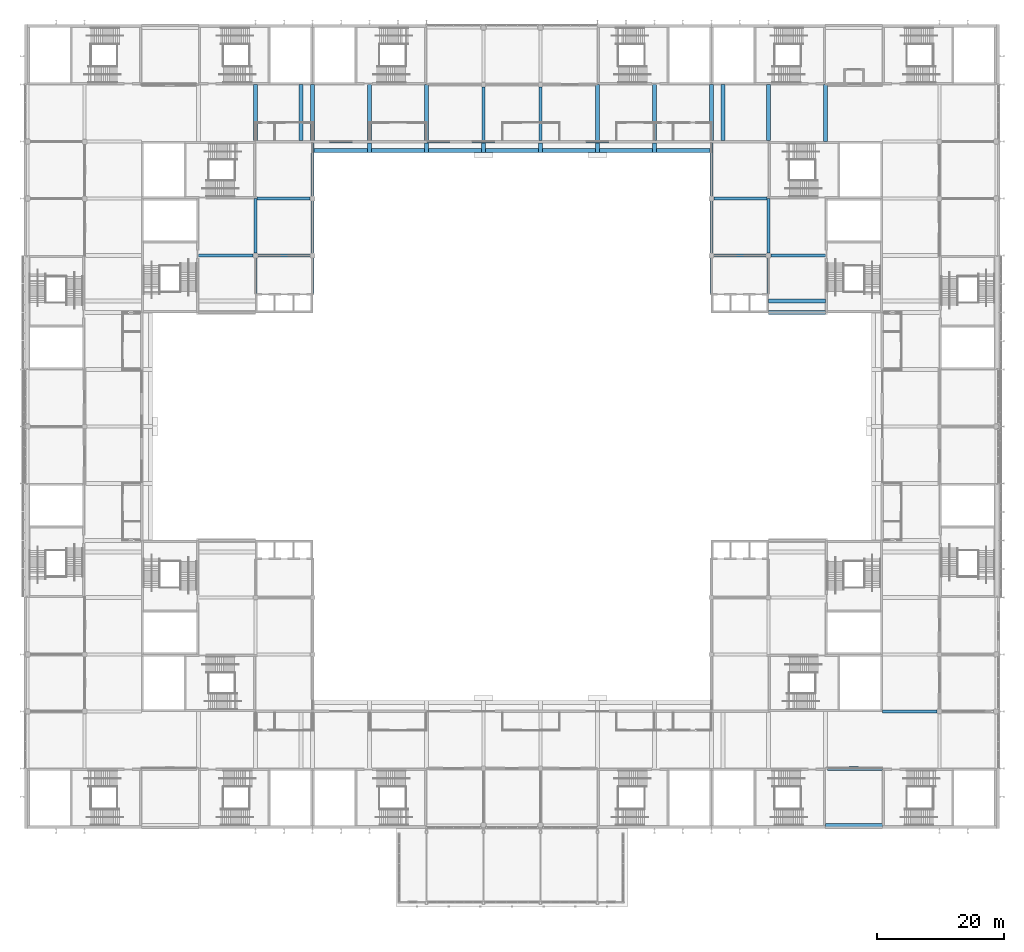
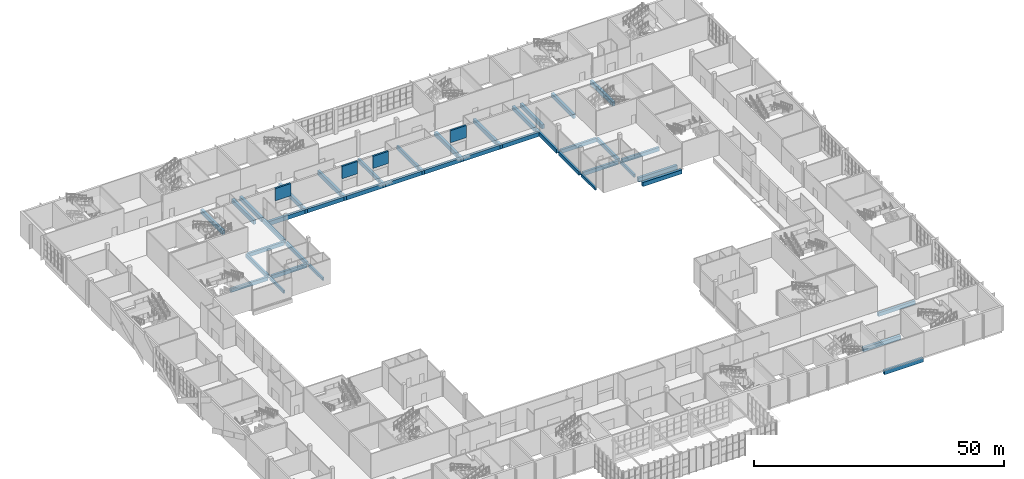
# One storey, part 18 of 89: 51 beams.
"""IFC4 building model written with IfcOpenShell, lengths in metres."""

from ifc_helpers import new_model, si_unit, direction, frame, origin, origin_2d, place, context, subcontext, project, spatial, rectangle, extrude, material, material_profile, profile_set, type_object, element, save


model = new_model("IFC4")

# Units and contexts
model_context = context("Model", 3, precision=1e-05, world=origin(), true_north=direction((0.0, 1.0)))
body_context = subcontext(model_context, "Body", "Model", "MODEL_VIEW")
ifc_project = project(units=[si_unit("LENGTHUNIT", "METRE"), si_unit("AREAUNIT", "SQUARE_METRE"), si_unit("VOLUMEUNIT", "CUBIC_METRE"), si_unit("PLANEANGLEUNIT", "RADIAN"), si_unit("MASSUNIT", "GRAM", prefix="KILO")], contexts=[model_context])

# Site, building, storey
site_placement = place(None, origin())
site = spatial("IfcSite", under=ifc_project, at=site_placement, CompositionType="ELEMENT")
building_placement = place(site_placement, origin())
building = spatial("IfcBuilding", under=site, at=building_placement, Name="Silverbay Arena", CompositionType="ELEMENT")
storey_placement = place(building_placement, frame((0.0, 0.0, 22.0)))
storey = spatial("IfcBuildingStorey", under=building, at=storey_placement, Name="L03", CompositionType="ELEMENT", Elevation=22.0)

# Beams
ifc_material_1 = material(Name="Concrete Grade C45", Category="concrete")
ifc_material_profile_1 = material_profile(ifc_material_1, rectangle(XDim=0.39990234375, YDim=0.699951171875, at=origin_2d()), Name="RC 400x700")
ifc_profile_set_1 = profile_set([ifc_material_profile_1], Name="Concrete Grade C45")
beam_type_1 = type_object("IfcBeamType", Name="RC beam 400x700", PredefinedType="BEAM", material=ifc_profile_set_1)
for number, where, z_axis, x_axis, name in (
    (1, (90.0, 102.0, -0.699951171875), (0.0, 1.0, 0.0), (-1.0, 0.0, 0.0), "Floor beam L03 104"),
    (2, (99.0, 102.0, -0.699951171875), (0.0, 1.0, 0.0), (-1.0, 0.0, 0.0), "Floor beam L03 113"),
    (3, (162.0, 102.0, -0.699951171875), (0.0, 1.0, 0.0), (-1.0, 0.0, 0.0), "Floor beam L03 149"),
    (4, (171.0, 102.0, -0.699951171875), (0.0, 1.0, 0.0), (-1.0, 0.0, 0.0), "Floor beam L03 158"),
):
    element("IfcBeam", number, at=place(storey_placement, frame(where, z_axis=z_axis, x_axis=x_axis)), inside=storey, type_object=beam_type_1, Name=name, PredefinedType="BEAM", context=body_context, shape_type="SweptSolid", body=[
        extrude(rectangle(XDim=0.39990234375, YDim=0.699951171875, at=origin_2d()), origin(), (0.0, 0.0, 1.0), 5.60009765625),
    ])
ifc_material_2 = material(Name="Concrete Grade C45", Category="concrete")
ifc_material_profile_2 = material_profile(ifc_material_2, rectangle(XDim=0.5, YDim=1.0, at=origin_2d()), Name="RC 500x1000")
ifc_profile_set_2 = profile_set([ifc_material_profile_2], Name="Concrete Grade C45")
beam_type_2 = type_object("IfcBeamType", Name="RC beam 500x1000", PredefinedType="BEAM", material=ifc_profile_set_2)
for number, where, z_axis, x_axis, name in (
    (5, (99.0, 117.39990234375, -0.85009765625), (0.0, 1.0, 0.0), (-1.0, 0.0, 0.0), "Floor beam L03 115"),
    (6, (162.0, 117.39990234375, -0.85009765625), (0.0, 1.0, 0.0), (-1.0, 0.0, 0.0), "Floor beam L03 151"),
):
    element("IfcBeam", number, at=place(storey_placement, frame(where, z_axis=z_axis, x_axis=x_axis)), inside=storey, type_object=beam_type_2, Name=name, PredefinedType="BEAM", context=body_context, shape_type="SweptSolid", body=[
        extrude(rectangle(XDim=0.5, YDim=1.0, at=origin_2d()), origin(), (0.0, 0.0, 1.0), 8.400146484375),
    ])
ifc_material_3 = material(Name="Concrete Grade C45", Category="concrete")
ifc_material_profile_3 = material_profile(ifc_material_3, rectangle(XDim=0.5, YDim=0.89990234375, at=origin_2d()), Name="RC 500x900")
ifc_profile_set_3 = profile_set([ifc_material_profile_3], Name="Concrete Grade C45")
beam_type_3 = type_object("IfcBeamType", Name="RC beam 500x900", PredefinedType="BEAM", material=ifc_profile_set_3)
for number, where, z_axis, x_axis, name in (
    (7, (189.0, 36.0, -0.800048828125), (1.0, 0.0, 0.0), (0.0, 1.0, 0.0), "Floor beam L03 013"),
    (8, (81.0, 108.0, -0.800048828125), (1.0, 0.0, 0.0), (0.0, 1.0, 0.0), "Floor beam L03 058"),
):
    element("IfcBeam", number, at=place(storey_placement, frame(where, z_axis=z_axis, x_axis=x_axis)), inside=storey, type_object=beam_type_3, Name=name, PredefinedType="BEAM", context=body_context, shape_type="SweptSolid", body=[
        extrude(rectangle(XDim=0.5, YDim=0.89990234375, at=origin_2d()), origin(), (0.0, 0.0, 1.0), 8.60009765625),
    ])
for number, where, z_axis, x_axis, name in (
    (9, (90.39990234375, 108.0, -0.800048828125), (1.0, 0.0, 0.0), (0.0, 1.0, 0.0), "Floor beam L03 059"),
    (10, (162.39990234375, 108.0, -0.800048828125), (1.0, 0.0, 0.0), (0.0, 1.0, 0.0), "Floor beam L03 060"),
):
    element("IfcBeam", number, at=place(storey_placement, frame(where, z_axis=z_axis, x_axis=x_axis)), inside=storey, type_object=beam_type_3, Name=name, PredefinedType="BEAM", context=body_context, shape_type="SweptSolid", body=[
        extrude(rectangle(XDim=0.5, YDim=0.89990234375, at=origin_2d()), origin(), (0.0, 0.0, 1.0), 8.2001953125),
    ])
beam_1_placement = place(storey_placement, frame((171.39990234375, 108.0, -0.800048828125), z_axis=(1.0, 0.0, 0.0), x_axis=(0.0, 1.0, 0.0)))
element("IfcBeam", 11, at=beam_1_placement, inside=storey, type_object=beam_type_3, Name="Floor beam L03 061", PredefinedType="BEAM", context=body_context, shape_type="SweptSolid", body=[
    extrude(rectangle(XDim=0.5, YDim=0.89990234375, at=origin_2d()), origin(), (0.0, 0.0, 1.0), 8.60009765625),
])
for number, where, z_axis, x_axis, name in (
    (12, (90.25, 117.0, -0.800048828125), (1.0, 0.0, 0.0), (0.0, 1.0, 0.0), "Floor beam L03 065"),
    (13, (162.39990234375, 117.0, -0.800048828125), (1.0, 0.0, 0.0), (0.0, 1.0, 0.0), "Floor beam L03 066"),
):
    element("IfcBeam", number, at=place(storey_placement, frame(where, z_axis=z_axis, x_axis=x_axis)), inside=storey, type_object=beam_type_3, Name=name, PredefinedType="BEAM", context=body_context, shape_type="SweptSolid", body=[
        extrude(rectangle(XDim=0.5, YDim=0.89990234375, at=origin_2d()), origin(), (0.0, 0.0, 1.0), 8.35009765625),
    ])
beam_2_placement = place(storey_placement, frame((90.0, 108.39990234375, -0.800048828125), z_axis=(0.0, 1.0, 0.0), x_axis=(-1.0, 0.0, 0.0)))
element("IfcBeam", 14, at=beam_2_placement, inside=storey, type_object=beam_type_3, Name="Floor beam L03 105", PredefinedType="BEAM", context=body_context, shape_type="SweptSolid", body=[
    extrude(rectangle(XDim=0.5, YDim=0.89990234375, at=origin_2d()), origin(), (0.0, 0.0, 1.0), 8.60009765625),
])
beam_3_placement = place(storey_placement, frame((99.0, 108.39990234375, -0.800048828125), z_axis=(0.0, 1.0, 0.0), x_axis=(-1.0, 0.0, 0.0)))
element("IfcBeam", 15, at=beam_3_placement, inside=storey, type_object=beam_type_3, Name="Floor beam L03 114", PredefinedType="BEAM", context=body_context, shape_type="SweptSolid", body=[
    extrude(rectangle(XDim=0.5, YDim=0.89990234375, at=origin_2d()), origin(), (0.0, 0.0, 1.0), 8.2001953125),
])
for number, where, z_axis, x_axis, name in (
    (16, (126.0, 126.199951171875, -0.800048828125), (0.0, 1.0, 0.0), (-1.0, 0.0, 0.0), "Floor beam L03 129"),
    (17, (135.0, 126.199951171875, -0.800048828125), (0.0, 1.0, 0.0), (-1.0, 0.0, 0.0), "Floor beam L03 135"),
):
    element("IfcBeam", number, at=place(storey_placement, frame(where, z_axis=z_axis, x_axis=x_axis)), inside=storey, type_object=beam_type_3, Name=name, PredefinedType="BEAM", context=body_context, shape_type="SweptSolid", body=[
        extrude(rectangle(XDim=0.5, YDim=0.89990234375, at=origin_2d()), origin(), (0.0, 0.0, 1.0), 8.400146484375),
    ])
beam_4_placement = place(storey_placement, frame((162.0, 108.39990234375, -0.800048828125), z_axis=(0.0, 1.0, 0.0), x_axis=(-1.0, 0.0, 0.0)))
element("IfcBeam", 18, at=beam_4_placement, inside=storey, type_object=beam_type_3, Name="Floor beam L03 150", PredefinedType="BEAM", context=body_context, shape_type="SweptSolid", body=[
    extrude(rectangle(XDim=0.5, YDim=0.89990234375, at=origin_2d()), origin(), (0.0, 0.0, 1.0), 8.2001953125),
])
beam_5_placement = place(storey_placement, frame((171.0, 108.39990234375, -0.800048828125), z_axis=(0.0, 1.0, 0.0), x_axis=(-1.0, 0.0, 0.0)))
element("IfcBeam", 19, at=beam_5_placement, inside=storey, type_object=beam_type_3, Name="Floor beam L03 159", PredefinedType="BEAM", context=body_context, shape_type="SweptSolid", body=[
    extrude(rectangle(XDim=0.5, YDim=0.89990234375, at=origin_2d()), origin(), (0.0, 0.0, 1.0), 8.60009765625),
])
ifc_material_4 = material(Name="Concrete Grade C45", Category="concrete")
ifc_material_profile_4 = material_profile(ifc_material_4, rectangle(XDim=0.60009765625, YDim=1.0, at=origin_2d()), Name="RC 600x1000")
ifc_profile_set_4 = profile_set([ifc_material_profile_4], Name="Concrete Grade C45")
beam_type_4 = type_object("IfcBeamType", Name="RC beam 600x1000", PredefinedType="BEAM", material=ifc_profile_set_4)
beam_6_placement = place(storey_placement, frame((180.0, 18.0, -0.85009765625), z_axis=(1.0, 0.0, 0.0), x_axis=(0.0, 1.0, 0.0)))
element("IfcBeam", 20, at=beam_6_placement, inside=storey, type_object=beam_type_4, Name="Floor beam L03 005", PredefinedType="BEAM", context=body_context, shape_type="SweptSolid", body=[
    extrude(rectangle(XDim=0.60009765625, YDim=1.0, at=origin_2d()), origin(), (0.0, 0.0, 1.0), 9.0),
])
beam_7_placement = place(storey_placement, frame((180.300048828125, 27.0, -0.85009765625), z_axis=(1.0, 0.0, 0.0), x_axis=(0.0, 1.0, 0.0)))
element("IfcBeam", 21, at=beam_7_placement, inside=storey, type_object=beam_type_4, Name="Floor beam L03 010", PredefinedType="BEAM", context=body_context, shape_type="SweptSolid", body=[
    extrude(rectangle(XDim=0.60009765625, YDim=1.0, at=origin_2d()), origin(), (0.0, 0.0, 1.0), 8.699951171875),
])
for number, where, z_axis, x_axis, name in (
    (22, (171.0, 99.0, -0.85009765625), (1.0, 0.0, 0.0), (0.0, 1.0, 0.0), "Floor beam L03 051"),
    (23, (171.0, 100.800048828125, -0.85009765625), (1.0, 0.0, 0.0), (0.0, 1.0, 0.0), "Floor beam L03 055"),
):
    element("IfcBeam", number, at=place(storey_placement, frame(where, z_axis=z_axis, x_axis=x_axis)), inside=storey, type_object=beam_type_4, Name=name, PredefinedType="BEAM", context=body_context, shape_type="SweptSolid", body=[
        extrude(rectangle(XDim=0.60009765625, YDim=1.0, at=origin_2d()), origin(), (0.0, 0.0, 1.0), 9.0),
    ])
for number, where, z_axis, x_axis, name in (
    (24, (90.0, 126.199951171875, -0.85009765625), (0.0, 1.0, 0.0), (-1.0, 0.0, 0.0), "Floor beam L03 106"),
    (25, (97.199951171875, 126.199951171875, -0.85009765625), (0.0, 1.0, 0.0), (-1.0, 0.0, 0.0), "Floor beam L03 108"),
    (26, (99.0, 126.199951171875, -0.85009765625), (0.0, 1.0, 0.0), (-1.0, 0.0, 0.0), "Floor beam L03 116"),
):
    element("IfcBeam", number, at=place(storey_placement, frame(where, z_axis=z_axis, x_axis=x_axis)), inside=storey, type_object=beam_type_4, Name=name, PredefinedType="BEAM", context=body_context, shape_type="SweptSolid", body=[
        extrude(rectangle(XDim=0.60009765625, YDim=1.0, at=origin_2d()), origin(), (0.0, 0.0, 1.0), 8.800048828125),
    ])
beam_8_placement = place(storey_placement, frame((108.0, 124.300048828125, -0.85009765625), z_axis=(0.0, 1.0, 0.0), x_axis=(-1.0, 0.0, 0.0)))
element("IfcBeam", 27, at=beam_8_placement, inside=storey, type_object=beam_type_4, Name="Floor beam L03 119", PredefinedType="BEAM", context=body_context, shape_type="SweptSolid", body=[
    extrude(rectangle(XDim=0.60009765625, YDim=1.0, at=origin_2d()), origin(), (0.0, 0.0, 1.0), 1.5),
])
beam_9_placement = place(storey_placement, frame((108.0, 126.199951171875, -0.85009765625), z_axis=(0.0, 1.0, 0.0), x_axis=(-1.0, 0.0, 0.0)))
element("IfcBeam", 28, at=beam_9_placement, inside=storey, type_object=beam_type_4, Name="Floor beam L03 120", PredefinedType="BEAM", context=body_context, shape_type="SweptSolid", body=[
    extrude(rectangle(XDim=0.60009765625, YDim=1.0, at=origin_2d()), origin(), (0.0, 0.0, 1.0), 8.800048828125),
])
beam_10_placement = place(storey_placement, frame((117.0, 124.300048828125, -0.85009765625), z_axis=(0.0, 1.0, 0.0), x_axis=(-1.0, 0.0, 0.0)))
element("IfcBeam", 29, at=beam_10_placement, inside=storey, type_object=beam_type_4, Name="Floor beam L03 123", PredefinedType="BEAM", context=body_context, shape_type="SweptSolid", body=[
    extrude(rectangle(XDim=0.60009765625, YDim=1.0, at=origin_2d()), origin(), (0.0, 0.0, 1.0), 1.5),
])
beam_11_placement = place(storey_placement, frame((117.0, 126.199951171875, -0.85009765625), z_axis=(0.0, 1.0, 0.0), x_axis=(-1.0, 0.0, 0.0)))
element("IfcBeam", 30, at=beam_11_placement, inside=storey, type_object=beam_type_4, Name="Floor beam L03 124", PredefinedType="BEAM", context=body_context, shape_type="SweptSolid", body=[
    extrude(rectangle(XDim=0.60009765625, YDim=1.0, at=origin_2d()), origin(), (0.0, 0.0, 1.0), 8.800048828125),
])
for number, where, z_axis, x_axis, name in (
    (31, (126.0, 124.300048828125, -0.85009765625), (0.0, 1.0, 0.0), (-1.0, 0.0, 0.0), "Floor beam L03 128"),
    (32, (135.0, 124.300048828125, -0.85009765625), (0.0, 1.0, 0.0), (-1.0, 0.0, 0.0), "Floor beam L03 134"),
    (33, (144.0, 124.300048828125, -0.85009765625), (0.0, 1.0, 0.0), (-1.0, 0.0, 0.0), "Floor beam L03 139"),
):
    element("IfcBeam", number, at=place(storey_placement, frame(where, z_axis=z_axis, x_axis=x_axis)), inside=storey, type_object=beam_type_4, Name=name, PredefinedType="BEAM", context=body_context, shape_type="SweptSolid", body=[
        extrude(rectangle(XDim=0.60009765625, YDim=1.0, at=origin_2d()), origin(), (0.0, 0.0, 1.0), 1.5),
    ])
beam_12_placement = place(storey_placement, frame((144.0, 126.199951171875, -0.85009765625), z_axis=(0.0, 1.0, 0.0), x_axis=(-1.0, 0.0, 0.0)))
element("IfcBeam", 34, at=beam_12_placement, inside=storey, type_object=beam_type_4, Name="Floor beam L03 140", PredefinedType="BEAM", context=body_context, shape_type="SweptSolid", body=[
    extrude(rectangle(XDim=0.60009765625, YDim=1.0, at=origin_2d()), origin(), (0.0, 0.0, 1.0), 8.800048828125),
])
beam_13_placement = place(storey_placement, frame((153.0, 124.300048828125, -0.85009765625), z_axis=(0.0, 1.0, 0.0), x_axis=(-1.0, 0.0, 0.0)))
element("IfcBeam", 35, at=beam_13_placement, inside=storey, type_object=beam_type_4, Name="Floor beam L03 143", PredefinedType="BEAM", context=body_context, shape_type="SweptSolid", body=[
    extrude(rectangle(XDim=0.60009765625, YDim=1.0, at=origin_2d()), origin(), (0.0, 0.0, 1.0), 1.5),
])
for number, where, z_axis, x_axis, name in (
    (36, (153.0, 126.199951171875, -0.85009765625), (0.0, 1.0, 0.0), (-1.0, 0.0, 0.0), "Floor beam L03 144"),
    (37, (162.0, 126.199951171875, -0.85009765625), (0.0, 1.0, 0.0), (-1.0, 0.0, 0.0), "Floor beam L03 152"),
    (38, (163.800048828125, 126.199951171875, -0.85009765625), (0.0, 1.0, 0.0), (-1.0, 0.0, 0.0), "Floor beam L03 154"),
    (39, (171.0, 126.199951171875, -0.85009765625), (0.0, 1.0, 0.0), (-1.0, 0.0, 0.0), "Floor beam L03 160"),
):
    element("IfcBeam", number, at=place(storey_placement, frame(where, z_axis=z_axis, x_axis=x_axis)), inside=storey, type_object=beam_type_4, Name=name, PredefinedType="BEAM", context=body_context, shape_type="SweptSolid", body=[
        extrude(rectangle(XDim=0.60009765625, YDim=1.0, at=origin_2d()), origin(), (0.0, 0.0, 1.0), 8.800048828125),
    ])
beam_14_placement = place(storey_placement, frame((180.0, 126.0, -0.85009765625), z_axis=(0.0, 1.0, 0.0), x_axis=(-1.0, 0.0, 0.0)))
element("IfcBeam", 40, at=beam_14_placement, inside=storey, type_object=beam_type_4, Name="Floor beam L03 162", PredefinedType="BEAM", context=body_context, shape_type="SweptSolid", body=[
    extrude(rectangle(XDim=0.60009765625, YDim=1.0, at=origin_2d()), origin(), (0.0, 0.0, 1.0), 9.0),
])
beam_15_placement = place(storey_placement, frame((99.25, 124.60009765625, -0.85009765625), z_axis=(1.0, 0.0, 0.0), x_axis=(0.0, 1.0, 0.0)))
element("IfcBeam", 41, at=beam_15_placement, inside=storey, type_object=beam_type_4, Name="Floor beam L03 186", PredefinedType="BEAM", context=body_context, shape_type="SweptSolid", body=[
    extrude(rectangle(XDim=0.60009765625, YDim=1.0, at=origin_2d()), origin(), (0.0, 0.0, 1.0), 8.449951171875),
])
for number, where, z_axis, x_axis, name in (
    (42, (108.300048828125, 124.60009765625, -0.85009765625), (1.0, 0.0, 0.0), (0.0, 1.0, 0.0), "Floor beam L03 187"),
    (43, (117.300048828125, 124.60009765625, -0.85009765625), (1.0, 0.0, 0.0), (0.0, 1.0, 0.0), "Floor beam L03 188"),
    (44, (126.300048828125, 124.60009765625, -0.85009765625), (1.0, 0.0, 0.0), (0.0, 1.0, 0.0), "Floor beam L03 189"),
    (45, (135.300048828125, 124.60009765625, -0.85009765625), (1.0, 0.0, 0.0), (0.0, 1.0, 0.0), "Floor beam L03 190"),
    (46, (144.300048828125, 124.60009765625, -0.85009765625), (1.0, 0.0, 0.0), (0.0, 1.0, 0.0), "Floor beam L03 191"),
):
    element("IfcBeam", number, at=place(storey_placement, frame(where, z_axis=z_axis, x_axis=x_axis)), inside=storey, type_object=beam_type_4, Name=name, PredefinedType="BEAM", context=body_context, shape_type="SweptSolid", body=[
        extrude(rectangle(XDim=0.60009765625, YDim=1.0, at=origin_2d()), origin(), (0.0, 0.0, 1.0), 8.39990234375),
    ])
beam_16_placement = place(storey_placement, frame((153.300048828125, 124.60009765625, -0.85009765625), z_axis=(1.0, 0.0, 0.0), x_axis=(0.0, 1.0, 0.0)))
element("IfcBeam", 47, at=beam_16_placement, inside=storey, type_object=beam_type_4, Name="Floor beam L03 192", PredefinedType="BEAM", context=body_context, shape_type="SweptSolid", body=[
    extrude(rectangle(XDim=0.60009765625, YDim=1.0, at=origin_2d()), origin(), (0.0, 0.0, 1.0), 8.449951171875),
])
ifc_material_5 = material(Name="Concrete Grade C45", Category="concrete")
ifc_material_profile_5 = material_profile(ifc_material_5, rectangle(XDim=0.39990234375, YDim=3.0, at=origin_2d()), Name="RC 400x3000")
ifc_profile_set_5 = profile_set([ifc_material_profile_5], Name="Concrete Grade C45")
beam_type_5 = type_object("IfcBeamType", Name="RC lintel 400x3000", PredefinedType="BEAM", material=ifc_profile_set_5)
for number, where, z_axis, x_axis, name in (
    (48, (124.199951171875, 126.0, 4.5), (1.0, 0.0, 0.0), (0.0, 1.0, 0.0), "Lintel over portal L03-N126"),
    (49, (142.199951171875, 126.0, 4.5), (1.0, 0.0, 0.0), (0.0, 1.0, 0.0), "Lintel over portal L03-N144"),
    (50, (101.699951171875, 126.0, 4.5), (1.0, 0.0, 0.0), (0.0, 1.0, 0.0), "Lintel over portal L03-N1035"),
    (51, (117.074951171875, 126.0, 4.5), (1.0, 0.0, 0.0), (0.0, 1.0, 0.0), "Lintel over portal L03-N1189"),
):
    element("IfcBeam", number, at=place(storey_placement, frame(where, z_axis=z_axis, x_axis=x_axis)), inside=storey, type_object=beam_type_5, Name=name, PredefinedType="BEAM", context=body_context, shape_type="SweptSolid", body=[
        extrude(rectangle(XDim=0.39990234375, YDim=3.0, at=origin_2d()), origin(), (0.0, 0.0, 1.0), 3.60009765625),
    ])

save(model, "model.ifc")
